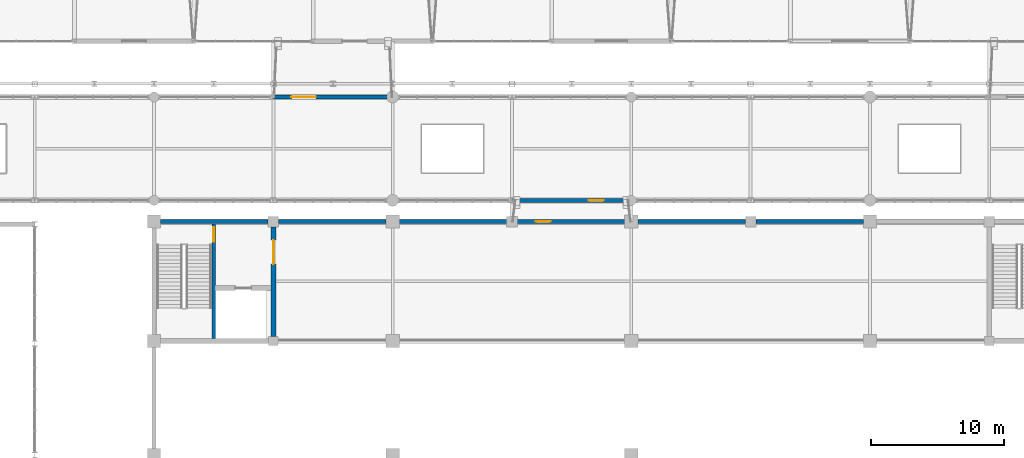
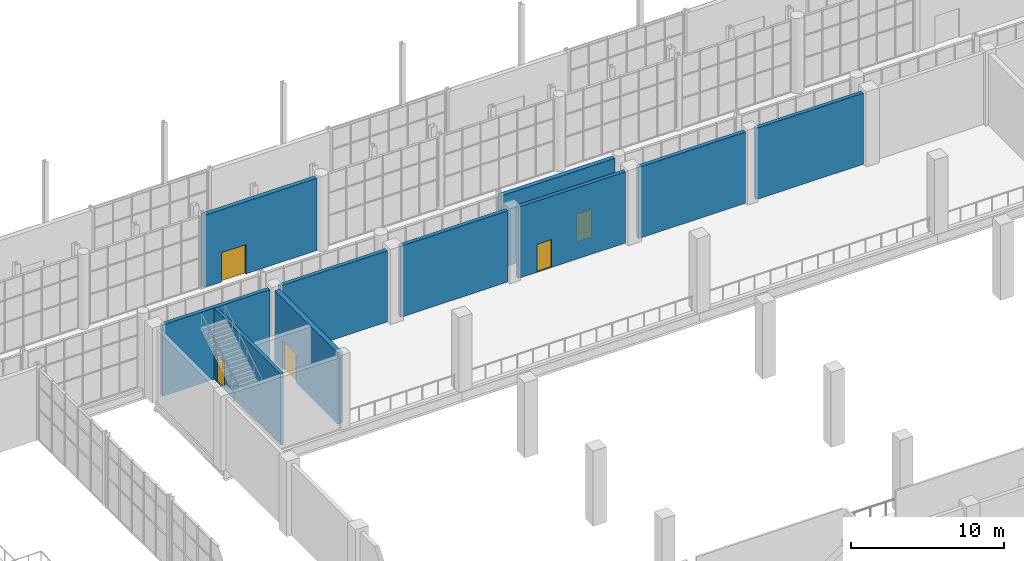
# One storey, part 122 of 159: 10 walls, 5 doors, 5 openings.
"""IFC4 building model written with IfcOpenShell, lengths in metres."""

from ifc_helpers import new_model, si_unit, direction, frame, frame_2d, origin, place, context, subcontext, project, spatial, rectangle, extrude, material, layer, layer_set, type_object, element, fill, save


model = new_model("IFC4")

# Units and contexts
model_context = context("Model", 3, precision=1e-05, world=origin(), true_north=direction((0.0, 1.0)))
body_context = subcontext(model_context, "Body", "Model", "MODEL_VIEW")
ifc_project = project(units=[si_unit("LENGTHUNIT", "METRE"), si_unit("AREAUNIT", "SQUARE_METRE"), si_unit("VOLUMEUNIT", "CUBIC_METRE"), si_unit("PLANEANGLEUNIT", "RADIAN"), si_unit("MASSUNIT", "GRAM", prefix="KILO")], contexts=[model_context])

# Site, building, storey
site_placement = place(None, origin())
site = spatial("IfcSite", under=ifc_project, at=site_placement, CompositionType="ELEMENT")
building_placement = place(site_placement, origin())
building = spatial("IfcBuilding", under=site, at=building_placement, Name="Cazmaro Siding Exhibition Halls", CompositionType="ELEMENT")
storey_placement = place(building_placement, frame((0.0, 0.0, 6.0)))
storey = spatial("IfcBuildingStorey", under=building, at=storey_placement, Name="L01", CompositionType="ELEMENT", Elevation=6.0)

# Wall, opening, door
ifc_material_1 = material(Name="Concrete f'c 45 MPa", Category="concrete")
ifc_layer_1 = layer(ifc_material_1, 0.320068359375)
ifc_layer_set_1 = layer_set([ifc_layer_1], Name="Concrete f'c 45 MPa")
wall_type_1 = type_object("IfcWallType", Name="EW-01", PredefinedType="STANDARD", material=ifc_layer_set_1)
wall_1_placement = place(storey_placement, frame((81.012939453125, 63.0, 0.0), z_axis=(0.0, 0.0, 1.0), x_axis=(1.0, 0.0, 0.0)))
wall_1 = element("IfcWall", 1, at=wall_1_placement, inside=storey, type_object=wall_type_1, Name="Concourse North Bridge Portal L01 EW-01 WL-E0174", PredefinedType="STANDARD", context=body_context, shape_type="SweptSolid", body=[
    extrude(rectangle(XDim=8.552001953125, YDim=0.320068359375, at=frame_2d((4.27587890625, 0.0))), origin(), (0.0, 0.0, 1.0), 5.780029296875),
])
opening_1_placement = place(wall_1_placement, frame((1.3369140625, 0.0, 0.0)))
opening_1 = element("IfcOpeningElement", 2, at=opening_1_placement, cuts=wall_1, Name="Opening D-E041", PredefinedType="OPENING", context=body_context, shape_type="SweptSolid", body=[
    extrude(rectangle(XDim=1.85009765625, YDim=2.35009765625, at=frame_2d((0.925048828125, 1.175048828125))), frame((0.0, 0.169921875, 0.0), z_axis=(0.0, -1.0, 0.0), x_axis=(1.0, 0.0, 0.0)), (0.0, 0.0, 1.0), 0.340087890625),
])
ifc_material_2 = material(Name="Anodized Bronze Glazed Entrance Door", Category="aluminium")
door_type_1 = type_object("IfcDoorType", Name="ED-03", OperationType="DOUBLE_DOOR_SINGLE_SWING", PredefinedType="DOOR", material=ifc_material_2)
door_1_placement = place(opening_1_placement, origin())
door_1 = element("IfcDoor", 3, at=door_1_placement, inside=storey, type_object=door_type_1, Name="Exterior door D-E041 (ED-03)", OperationType="DOUBLE_DOOR_SINGLE_SWING", OverallHeight=2.35009765625, OverallWidth=1.85009765625, PredefinedType="DOOR", context=body_context, shape_type="SweptSolid", body=[
    extrude(rectangle(XDim=1.85009765625, YDim=2.35009765625, at=frame_2d((0.925048828125, 1.175048828125))), frame((0.0, 0.02490234375, 0.0), z_axis=(0.0, -1.0, 0.0), x_axis=(1.0, 0.0, 0.0)), (0.0, 0.0, 1.0), 0.050048828125),
])
fill(opening_1, door_1)

wall_2_placement = place(storey_placement, frame((107.639892578125, 55.199951171875, 0.0), z_axis=(0.0, 0.0, 1.0), x_axis=(-1.0, 0.0, 0.0)))
wall_2 = element("IfcWall", 4, at=wall_2_placement, inside=storey, type_object=wall_type_1, Name="Concourse Bridge SB-03 Portal L01 EW-01 WL-E0177", PredefinedType="STANDARD", context=body_context, shape_type="SweptSolid", body=[
    extrude(rectangle(XDim=8.626953125, YDim=0.320068359375, at=frame_2d((4.3134765625, 0.0))), origin(), (0.0, 0.0, 1.0), 5.780029296875),
])
opening_2_placement = place(wall_2_placement, frame((1.719970703125, 0.0, 0.0)))
opening_2 = element("IfcOpeningElement", 5, at=opening_2_placement, cuts=wall_2, Name="Opening D-E044", PredefinedType="OPENING", context=body_context, shape_type="SweptSolid", body=[
    extrude(rectangle(XDim=1.1201171875, YDim=2.239990234375, at=frame_2d((0.56005859375, 1.1201171875))), frame((0.0, 0.169921875, 0.0), z_axis=(0.0, -1.0, 0.0), x_axis=(1.0, 0.0, 0.0)), (0.0, 0.0, 1.0), 0.340087890625),
])
ifc_material_3 = material(Name="Anodized Bronze Glazed Entrance Door", Category="aluminium")
door_type_2 = type_object("IfcDoorType", Name="ED-04", OperationType="NOTDEFINED", PredefinedType="DOOR", material=ifc_material_3)
door_2_placement = place(opening_2_placement, origin())
door_2 = element("IfcDoor", 6, at=door_2_placement, inside=storey, type_object=door_type_2, Name="Exterior door D-E044 (ED-04)", OperationType="SINGLE_SWING_LEFT", OverallHeight=2.239990234375, OverallWidth=1.1201171875, PredefinedType="DOOR", context=body_context, shape_type="SweptSolid", body=[
    extrude(rectangle(XDim=1.1201171875, YDim=2.239990234375, at=frame_2d((0.56005859375, 1.1201171875))), frame((0.0, 0.02490234375, 0.0), z_axis=(0.0, -1.0, 0.0), x_axis=(1.0, 0.0, 0.0)), (0.0, 0.0, 1.0), 0.050048828125),
])
fill(opening_2, door_2)

# Walls
ifc_material_4 = material(Name="Precast concrete f'c 40 MPa", Category="concrete")
ifc_layer_2 = layer(ifc_material_4, 0.280029296875)
ifc_layer_set_2 = layer_set([ifc_layer_2], Name="Precast concrete f'c 40 MPa")
wall_type_2 = type_object("IfcWallType", Name="EW-02", PredefinedType="STANDARD", material=ifc_layer_set_2)
for number, where, z_axis, x_axis, name in (
    (7, (72.491943359375, 53.60009765625, 0.0), (0.0, 0.0, 1.0), (1.0, 0.0, 0.0), "Hall B1 North Upper Wall EW-02 WL-E0040"),
    (8, (81.39208984375, 53.60009765625, 0.0), (0.0, 0.0, 1.0), (1.0, 0.0, 0.0), "Hall B1 North Upper Wall EW-02 WL-E0046"),
    (9, (90.491943359375, 53.60009765625, 0.0), (0.0, 0.0, 1.0), (1.0, 0.0, 0.0), "Hall B1 North Upper Wall EW-02 WL-E0052"),
):
    element("IfcWall", number, at=place(storey_placement, frame(where, z_axis=z_axis, x_axis=x_axis)), inside=storey, type_object=wall_type_2, Name=name, PredefinedType="STANDARD", context=body_context, shape_type="SweptSolid", body=[
        extrude(rectangle(XDim=8.115966796875, YDim=0.280029296875, at=frame_2d((4.05810546875, 0.0))), origin(), (0.0, 0.0, 1.0), 5.699951171875),
    ])

# Wall, opening, door
wall_3_placement = place(storey_placement, frame((99.39208984375, 53.60009765625, 0.0), z_axis=(0.0, 0.0, 1.0), x_axis=(1.0, 0.0, 0.0)))
wall_3 = element("IfcWall", 10, at=wall_3_placement, inside=storey, type_object=wall_type_2, Name="Hall B1 North Upper Wall EW-02 WL-E0058", PredefinedType="STANDARD", context=body_context, shape_type="SweptSolid", body=[
    extrude(rectangle(XDim=8.115966796875, YDim=0.280029296875, at=frame_2d((4.05810546875, 0.0))), origin(), (0.0, 0.0, 1.0), 5.699951171875),
])
opening_3_placement = place(wall_3_placement, frame((1.407958984375, 0.0, 0.0)))
opening_3 = element("IfcOpeningElement", 11, at=opening_3_placement, cuts=wall_3, Name="Opening D-E015", PredefinedType="OPENING", context=body_context, shape_type="SweptSolid", body=[
    extrude(rectangle(XDim=1.1201171875, YDim=2.239990234375, at=frame_2d((0.56005859375, 1.1201171875))), frame((0.0, 0.14990234375, 0.0), z_axis=(0.0, -1.0, 0.0), x_axis=(1.0, 0.0, 0.0)), (0.0, 0.0, 1.0), 0.300048828125),
])
door_3_placement = place(opening_3_placement, origin())
door_3 = element("IfcDoor", 12, at=door_3_placement, inside=storey, type_object=door_type_2, Name="Exterior door D-E015 (ED-04)", OperationType="SINGLE_SWING_RIGHT", OverallHeight=2.239990234375, OverallWidth=1.1201171875, PredefinedType="DOOR", context=body_context, shape_type="SweptSolid", body=[
    extrude(rectangle(XDim=1.1201171875, YDim=2.239990234375, at=frame_2d((0.56005859375, 1.1201171875))), frame((0.0, 0.02490234375, 0.0), z_axis=(0.0, -1.0, 0.0), x_axis=(1.0, 0.0, 0.0)), (0.0, 0.0, 1.0), 0.050048828125),
])
fill(opening_3, door_3)

# Walls
for number, where, z_axis, x_axis, name in (
    (13, (108.491943359375, 53.60009765625, 0.0), (0.0, 0.0, 1.0), (1.0, 0.0, 0.0), "Hall B1 North Upper Wall EW-02 WL-E0064"),
    (14, (117.39208984375, 53.60009765625, 0.0), (0.0, 0.0, 1.0), (1.0, 0.0, 0.0), "Hall B1 North Upper Wall EW-02 WL-E0070"),
):
    element("IfcWall", number, at=place(storey_placement, frame(where, z_axis=z_axis, x_axis=x_axis)), inside=storey, type_object=wall_type_2, Name=name, PredefinedType="STANDARD", context=body_context, shape_type="SweptSolid", body=[
        extrude(rectangle(XDim=8.115966796875, YDim=0.280029296875, at=frame_2d((4.05810546875, 0.0))), origin(), (0.0, 0.0, 1.0), 5.699951171875),
    ])

# Wall, opening, door
ifc_material_5 = material(Name="Concrete f'c 50 MPa", Category="concrete")
ifc_layer_3 = layer(ifc_material_5, 0.360107421875)
ifc_layer_set_3 = layer_set([ifc_layer_3], Name="Concrete f'c 50 MPa")
wall_type_3 = type_object("IfcWallType", Name="SW-01", PredefinedType="SHEAR", material=ifc_layer_set_3)
wall_4_placement = place(storey_placement, frame((81.0, 44.945068359375, 0.0), z_axis=(0.0, 0.0, 1.0), x_axis=(0.0, 1.0, 0.0)))
wall_4 = element("IfcWall", 15, at=wall_4_placement, inside=storey, type_object=wall_type_3, Name="Core C3 East Shear Wall SW-01 WL-I0029", PredefinedType="SHEAR", context=body_context, shape_type="SweptSolid", body=[
    extrude(rectangle(XDim=8.260009765625, YDim=0.360107421875, at=frame_2d((4.1298828125, 0.0))), origin(), (0.0, 0.0, 1.0), 5.699951171875),
])
opening_4_placement = place(wall_4_placement, frame((5.455078125, 0.0, 0.0)))
opening_4 = element("IfcOpeningElement", 16, at=opening_4_placement, cuts=wall_4, Name="Opening D-I016", PredefinedType="OPENING", context=body_context, shape_type="SweptSolid", body=[
    extrude(rectangle(XDim=1.800048828125, YDim=2.300048828125, at=frame_2d((0.89990234375, 1.14990234375))), frame((0.0, 0.18994140625, 0.0), z_axis=(0.0, -1.0, 0.0), x_axis=(1.0, 0.0, 0.0)), (0.0, 0.0, 1.0), 0.380126953125),
])
ifc_material_6 = material(Name="Fire-Rated Painted Hollow Metal Door", Category="steel")
door_type_3 = type_object("IfcDoorType", Name="ID-02", OperationType="DOUBLE_DOOR_SINGLE_SWING", PredefinedType="DOOR", material=ifc_material_6)
door_4_placement = place(opening_4_placement, origin())
door_4 = element("IfcDoor", 17, at=door_4_placement, inside=storey, type_object=door_type_3, Name="Interior door D-I016 (ID-02)", OperationType="DOUBLE_DOOR_SINGLE_SWING", OverallHeight=2.300048828125, OverallWidth=1.800048828125, PredefinedType="DOOR", context=body_context, shape_type="SweptSolid", body=[
    extrude(rectangle(XDim=1.800048828125, YDim=2.300048828125, at=frame_2d((0.89990234375, 1.14990234375))), frame((0.0, 0.02490234375, 0.0), z_axis=(0.0, -1.0, 0.0), x_axis=(1.0, 0.0, 0.0)), (0.0, 0.0, 1.0), 0.050048828125),
])
fill(opening_4, door_4)

ifc_material_7 = material(Name="Concrete f'c 50 MPa", Category="concrete")
ifc_layer_4 = layer(ifc_material_7, 0.25)
ifc_layer_set_4 = layer_set([ifc_layer_4], Name="Concrete f'c 50 MPa")
wall_type_4 = type_object("IfcWallType", Name="SW-02", PredefinedType="SHEAR", material=ifc_layer_set_4)
wall_5_placement = place(storey_placement, frame((76.5, 44.764892578125, 0.0), z_axis=(0.0, 0.0, 1.0), x_axis=(0.0, 1.0, 0.0)))
wall_5 = element("IfcWall", 18, at=wall_5_placement, inside=storey, type_object=wall_type_4, Name="Core C3 Stair-Lobby Divider SW-02 WL-I0031", PredefinedType="SHEAR", context=body_context, shape_type="SweptSolid", body=[
    extrude(rectangle(XDim=8.670166015625, YDim=0.25, at=frame_2d((4.3349609375, 0.0))), origin(), (0.0, 0.0, 1.0), 5.699951171875),
])
opening_5_placement = place(wall_5_placement, frame((7.320068359375, 0.0, 0.0)))
opening_5 = element("IfcOpeningElement", 19, at=opening_5_placement, cuts=wall_5, Name="Opening D-I015", PredefinedType="OPENING", context=body_context, shape_type="SweptSolid", body=[
    extrude(rectangle(XDim=1.10009765625, YDim=2.199951171875, at=frame_2d((0.550048828125, 1.10009765625))), frame((0.0, 0.135009765625, 0.0), z_axis=(0.0, -1.0, 0.0), x_axis=(1.0, 0.0, 0.0)), (0.0, 0.0, 1.0), 0.27001953125),
])
ifc_material_8 = material(Name="Fire-Rated Painted Hollow Metal Door", Category="steel")
door_type_4 = type_object("IfcDoorType", Name="ID-01", OperationType="NOTDEFINED", PredefinedType="DOOR", material=ifc_material_8)
door_5_placement = place(opening_5_placement, origin())
door_5 = element("IfcDoor", 20, at=door_5_placement, inside=storey, type_object=door_type_4, Name="Interior door D-I015 (ID-01)", OperationType="SINGLE_SWING_RIGHT", OverallHeight=2.199951171875, OverallWidth=1.10009765625, PredefinedType="DOOR", context=body_context, shape_type="SweptSolid", body=[
    extrude(rectangle(XDim=1.10009765625, YDim=2.199951171875, at=frame_2d((0.550048828125, 1.10009765625))), frame((0.0, 0.02490234375, 0.0), z_axis=(0.0, -1.0, 0.0), x_axis=(1.0, 0.0, 0.0)), (0.0, 0.0, 1.0), 0.050048828125),
])
fill(opening_5, door_5)

save(model, "model.ifc")
